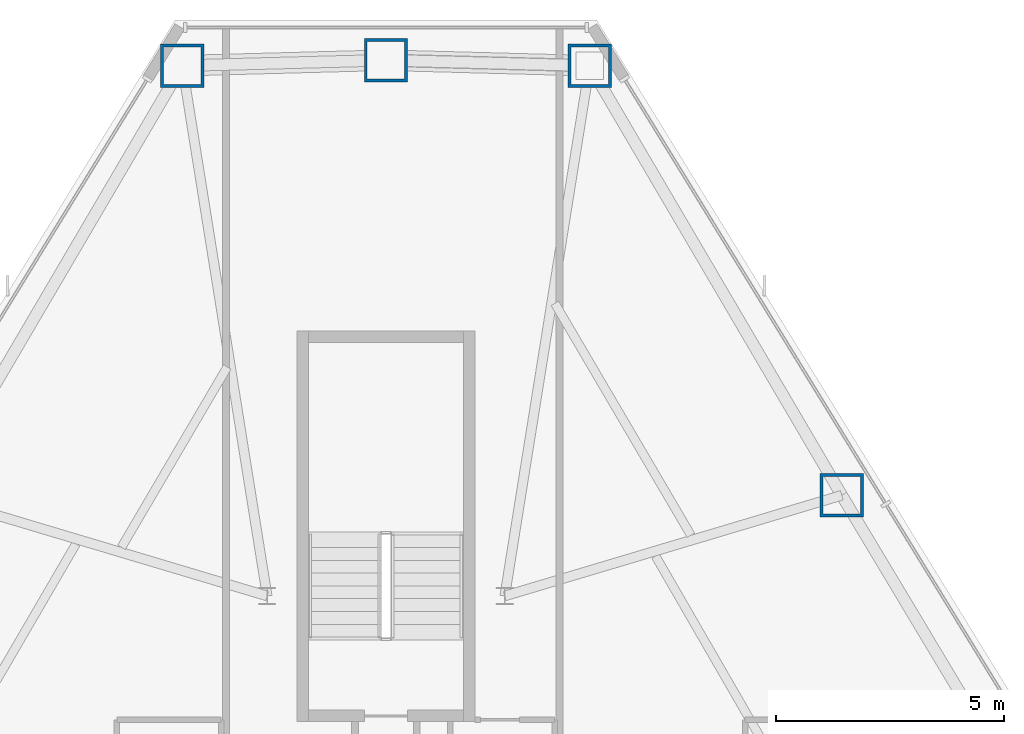
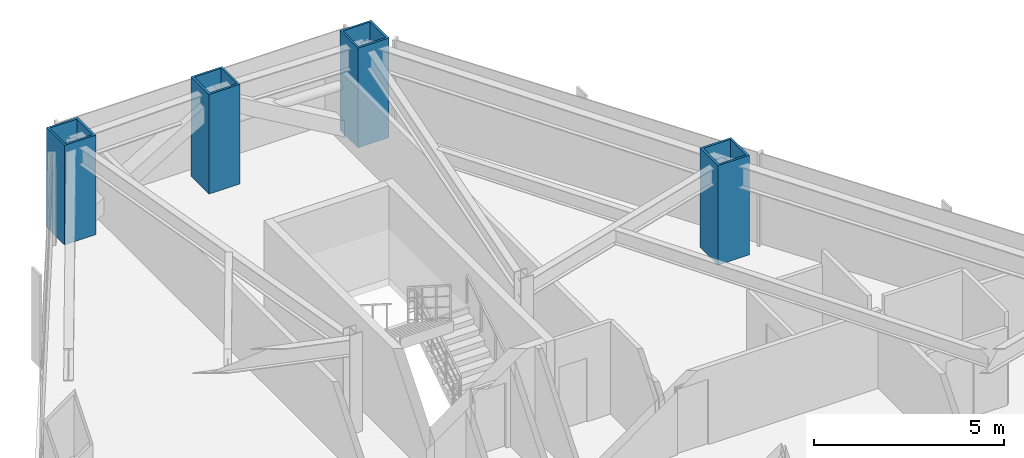
# One storey, part 3 of 14: 4 columns.
"""IFC4 building model written with IfcOpenShell, lengths in metres."""

from ifc_helpers import new_model, si_unit, direction, frame, origin, origin_2d, place, context, subcontext, project, spatial, hollow_rectangle, extrude, material, material_profile, profile_set, type_object, element, save


model = new_model("IFC4")

# Units and contexts
model_context = context("Model", 3, precision=1e-05, world=origin(), true_north=direction((0.0, 1.0)))
body_context = subcontext(model_context, "Body", "Model", "MODEL_VIEW")
ifc_project = project(units=[si_unit("LENGTHUNIT", "METRE"), si_unit("AREAUNIT", "SQUARE_METRE"), si_unit("VOLUMEUNIT", "CUBIC_METRE"), si_unit("PLANEANGLEUNIT", "RADIAN"), si_unit("MASSUNIT", "GRAM", prefix="KILO")], contexts=[model_context])

# Site, building, storey
site_placement = place(None, origin())
site = spatial("IfcSite", under=ifc_project, at=site_placement, CompositionType="ELEMENT")
building_placement = place(site_placement, origin())
building = spatial("IfcBuilding", under=site, at=building_placement, Name="Varakhsha Concourse Tower", CompositionType="ELEMENT")
storey_placement = place(building_placement, frame((0.0, 0.0, 105.39990234375)))
storey = spatial("IfcBuildingStorey", under=building, at=storey_placement, Name="L30", CompositionType="ELEMENT", Elevation=105.39990234375)

# Columns
ifc_material = material(Name="Structural Steel ASTM A572 Grade 50", Category="steel")
ifc_material_profile = material_profile(ifc_material, hollow_rectangle(XDim=0.949951171875, YDim=0.949951171875, WallThickness=0.06494140625, at=origin_2d()), Name="BOX 950x950x65")
ifc_profile_set = profile_set([ifc_material_profile], Name="Structural Steel ASTM A572 Grade 50")
column_type = type_object("IfcColumnType", Name="CL-TUBE-950", PredefinedType="COLUMN", material=ifc_profile_set)
for number, where, z_axis, x_axis, name in (
    (1, (44.45849609375, 52.807861328125, 0.0), (0.0, 0.0, 1.0), (1.0, 0.0, 0.0), "L30 Framed-Tube Column TC01"),
    (2, (40.0, 52.927734375, 0.0), (0.0, 0.0, 1.0), (1.0, 0.0, 0.0), "L30 Framed-Tube Column TC02"),
    (3, (35.54150390625, 52.807861328125, 0.0), (0.0, 0.0, 1.0), (1.0, 0.0, 0.0), "L30 Framed-Tube Column TC03"),
    (4, (49.9765625, 43.40380859375, 0.0), (0.0, 0.0, 1.0), (1.0, 0.0, 0.0), "L30 Framed-Tube Column TC18"),
):
    element("IfcColumn", number, at=place(storey_placement, frame(where, z_axis=z_axis, x_axis=x_axis)), inside=storey, type_object=column_type, Name=name, PredefinedType="COLUMN", context=body_context, shape_type="SweptSolid", body=[
        extrude(hollow_rectangle(XDim=0.949951171875, YDim=0.949951171875, WallThickness=0.06494140625, at=origin_2d()), origin(), (0.0, 0.0, 1.0), 3.2001953125),
    ])

save(model, "model.ifc")
